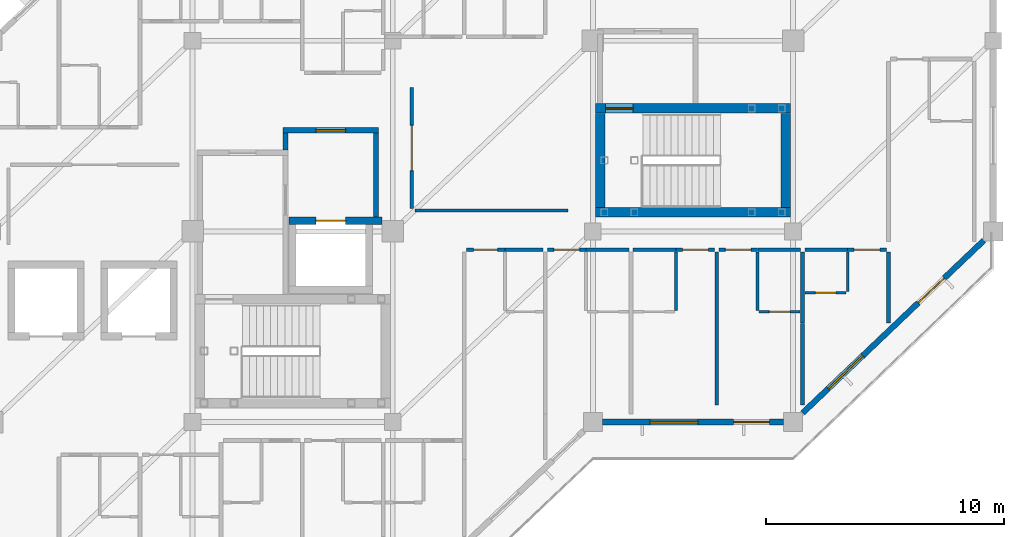
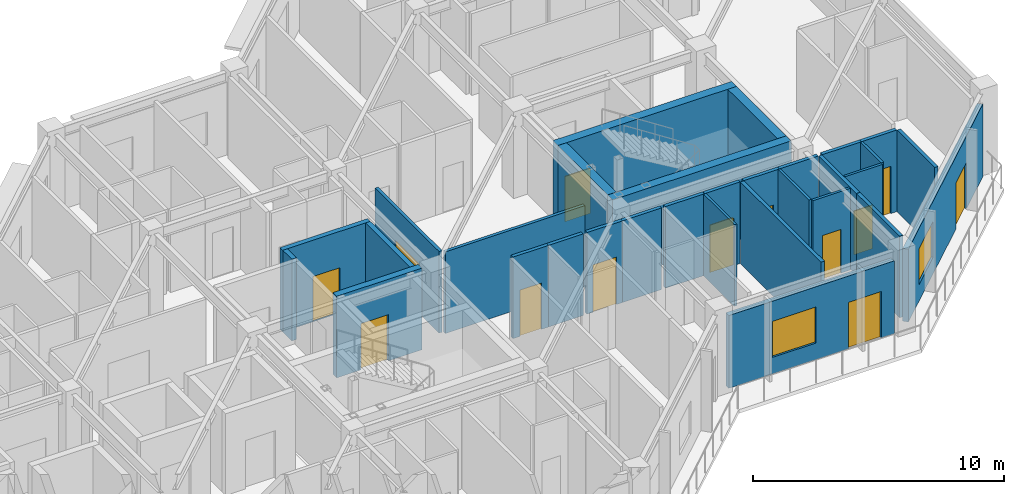
# One storey, part 13 of 22: 31 walls, 13 doors, 2 windows, 15 openings.
"""IFC4 building model written with IfcOpenShell, lengths in metres."""

from ifc_helpers import new_model, si_unit, direction, frame, frame_2d, origin, place, context, subcontext, project, spatial, rectangle, extrude, material, layer, layer_set, type_object, element, fill, save


model = new_model("IFC4")

# Units and contexts
model_context = context("Model", 3, precision=1e-05, world=origin(), true_north=direction((0.0, 1.0)))
body_context = subcontext(model_context, "Body", "Model", "MODEL_VIEW")
ifc_project = project(units=[si_unit("LENGTHUNIT", "METRE"), si_unit("AREAUNIT", "SQUARE_METRE"), si_unit("VOLUMEUNIT", "CUBIC_METRE"), si_unit("PLANEANGLEUNIT", "RADIAN"), si_unit("MASSUNIT", "GRAM", prefix="KILO")], contexts=[model_context])

# Site, building, storey
site_placement = place(None, origin())
site = spatial("IfcSite", under=ifc_project, at=site_placement, CompositionType="ELEMENT")
building_placement = place(site_placement, origin())
building = spatial("IfcBuilding", under=site, at=building_placement, Name="Naruveol Harbour Congress Hotel", CompositionType="ELEMENT")
storey_placement = place(building_placement, frame((0.0, 0.0, 21.0)))
storey = spatial("IfcBuildingStorey", under=building, at=storey_placement, Name="L04", CompositionType="ELEMENT", Elevation=21.0)

# Wall, opening, door
ifc_material_1 = material(Name="Acoustic Double Stud Gypsum", Category="gypsum")
ifc_layer_1 = layer(ifc_material_1, 0.139892578125)
ifc_layer_set_1 = layer_set([ifc_layer_1], Name="Acoustic Double Stud Gypsum")
wall_type_1 = type_object("IfcWallType", Name="ACOUSTIC MEETING PARTITION WALL 140", PredefinedType="PARTITIONING", material=ifc_layer_set_1)
wall_1_placement = place(storey_placement, frame((160.39990234375, 24.9599609375, 0.0), z_axis=(0.0, 0.0, 1.0), x_axis=(0.0, 1.0, 0.0)))
wall_1 = element("IfcWall", 1, at=wall_1_placement, inside=storey, type_object=wall_type_1, Name="Executive Club Salon west entry wall PW-140", PredefinedType="PARTITIONING", context=body_context, shape_type="SweptSolid", body=[
    extrude(rectangle(XDim=5.080078125, YDim=0.139892578125, at=frame_2d((2.5400390625, 0.0))), origin(), (0.0, 0.0, 1.0), 3.965087890625),
])
opening_1_placement = place(wall_1_placement, frame((1.590087890625, 0.0, 0.0)))
opening_1 = element("IfcOpeningElement", 2, at=opening_1_placement, cuts=wall_1, Name="Opening ID-LG-97", PredefinedType="OPENING", context=body_context, shape_type="SweptSolid", body=[
    extrude(rectangle(XDim=1.89990234375, YDim=2.39990234375, at=frame_2d((0.949951171875, 1.199951171875))), frame((0.0, 0.079833984375, 0.0), z_axis=(0.0, -1.0, 0.0), x_axis=(1.0, 0.0, 0.0)), (0.0, 0.0, 1.0), 0.159912109375),
])
ifc_material_2 = material(Name="Timber & Steel Acoustic Leaf", Category="steel")
door_type_1 = type_object("IfcDoorType", Name="RESTAURANT AND LOUNGE GLAZED DOOR 1900X2400", OperationType="DOUBLE_DOOR_SINGLE_SWING", PredefinedType="DOOR", material=ifc_material_2)
door_1_placement = place(opening_1_placement, origin())
door_1 = element("IfcDoor", 3, at=door_1_placement, inside=storey, type_object=door_type_1, Name="Executive Club Salon Entrance Door", OperationType="DOUBLE_DOOR_SINGLE_SWING", OverallHeight=2.39990234375, OverallWidth=1.89990234375, PredefinedType="DOOR", context=body_context, shape_type="SweptSolid", body=[
    extrude(rectangle(XDim=1.89990234375, YDim=2.39990234375, at=frame_2d((0.949951171875, 1.199951171875))), frame((0.0, 0.02490234375, 0.0), z_axis=(0.0, -1.0, 0.0), x_axis=(1.0, 0.0, 0.0)), (0.0, 0.0, 1.0), 0.050048828125),
])
fill(opening_1, door_1)

# Walls
wall_2_placement = place(storey_placement, frame((160.5400390625, 24.8798828125, 0.0), z_axis=(0.0, 0.0, 1.0), x_axis=(1.0, 0.0, 0.0)))
element("IfcWall", 4, at=wall_2_placement, inside=storey, type_object=wall_type_1, Name="Executive Club Salon south partition PW-140", PredefinedType="PARTITIONING", context=body_context, shape_type="SweptSolid", body=[
    extrude(rectangle(XDim=6.409912109375, YDim=0.139892578125, at=frame_2d((3.205078125, 0.0))), origin(), (0.0, 0.0, 1.0), 3.965087890625),
])
ifc_material_3 = material(Name="Moisture-Resistant Gypsum Partition", Category="gypsum")
ifc_layer_2 = layer(ifc_material_3, 0.114990234375)
ifc_layer_set_2 = layer_set([ifc_layer_2], Name="Moisture-Resistant Gypsum Partition")
wall_type_2 = type_object("IfcWallType", Name="BATHROOM MOISTURE PARTITION WALL 115", PredefinedType="PARTITIONING", material=ifc_layer_set_2)
for number, where, z_axis, x_axis, name in (
    (5, (171.489990234375, 20.68994140625, 0.0), (0.0, 0.0, 1.0), (0.0, 1.0, 0.0), "Bathroom east wall 0592 PW-115"),
    (6, (174.909912109375, 20.68994140625, 0.0), (0.0, 0.0, 1.0), (0.0, 1.0, 0.0), "Bathroom west wall 0593 PW-115"),
):
    element("IfcWall", number, at=place(storey_placement, frame(where, z_axis=z_axis, x_axis=x_axis)), inside=storey, type_object=wall_type_2, Name=name, PredefinedType="PARTITIONING", context=body_context, shape_type="SweptSolid", body=[
        extrude(rectangle(XDim=2.449951171875, YDim=0.114990234375, at=frame_2d((1.22509765625, 0.0))), origin(), (0.0, 0.0, 1.0), 3.965087890625),
    ])

# Wall, opening, door
wall_3_placement = place(storey_placement, frame((174.969970703125, 20.6298828125, 0.0), z_axis=(0.0, 0.0, 1.0), x_axis=(1.0, 0.0, 0.0)))
wall_3 = element("IfcWall", 7, at=wall_3_placement, inside=storey, type_object=wall_type_2, Name="Bathroom south wall 0593 PW-115", PredefinedType="PARTITIONING", context=body_context, shape_type="SweptSolid", body=[
    extrude(rectangle(XDim=1.72998046875, YDim=0.114990234375, at=frame_2d((0.864990234375, 0.0))), origin(), (0.0, 0.0, 1.0), 3.965087890625),
])
opening_2_placement = place(wall_3_placement, frame((0.43505859375, 0.0, 0.0)))
opening_2 = element("IfcOpeningElement", 8, at=opening_2_placement, cuts=wall_3, Name="Opening BD-RM0593", PredefinedType="OPENING", context=body_context, shape_type="SweptSolid", body=[
    extrude(rectangle(XDim=0.860107421875, YDim=2.1201171875, at=frame_2d((0.43017578125, 1.06005859375))), frame((0.0, 0.0673828125, 0.0), z_axis=(0.0, -1.0, 0.0), x_axis=(1.0, 0.0, 0.0)), (0.0, 0.0, 1.0), 0.135009765625),
])
ifc_material_4 = material(Name="Timber & Steel Acoustic Leaf", Category="steel")
door_type_2 = type_object("IfcDoorType", Name="GUEST BATHROOM DOOR 860X2120", OperationType="NOTDEFINED", PredefinedType="DOOR", material=ifc_material_4)
door_2_placement = place(opening_2_placement, origin())
door_2 = element("IfcDoor", 9, at=door_2_placement, inside=storey, type_object=door_type_2, Name="Bathroom Door 0593", OperationType="SINGLE_SWING_RIGHT", OverallHeight=2.1201171875, OverallWidth=0.860107421875, PredefinedType="DOOR", context=body_context, shape_type="SweptSolid", body=[
    extrude(rectangle(XDim=0.860107421875, YDim=2.1201171875, at=frame_2d((0.43017578125, 1.06005859375))), frame((0.0, 0.02490234375, 0.0), z_axis=(0.0, -1.0, 0.0), x_axis=(1.0, 0.0, 0.0)), (0.0, 0.0, 1.0), 0.050048828125),
])
fill(opening_2, door_2)

# Wall
wall_4_placement = place(storey_placement, frame((178.68994140625, 21.489990234375, 0.0), z_axis=(0.0, 0.0, 1.0), x_axis=(0.0, 1.0, 0.0)))
element("IfcWall", 10, at=wall_4_placement, inside=storey, type_object=wall_type_2, Name="Bathroom east wall 0594 PW-115", PredefinedType="PARTITIONING", context=body_context, shape_type="SweptSolid", body=[
    extrude(rectangle(XDim=1.64990234375, YDim=0.114990234375, at=frame_2d((0.824951171875, 0.0))), origin(), (0.0, 0.0, 1.0), 3.965087890625),
])

# Wall, opening, door
wall_5_placement = place(storey_placement, frame((176.89990234375, 21.429931640625, 0.0), z_axis=(0.0, 0.0, 1.0), x_axis=(1.0, 0.0, 0.0)))
wall_5 = element("IfcWall", 11, at=wall_5_placement, inside=storey, type_object=wall_type_2, Name="Bathroom south wall 0594 PW-115", PredefinedType="PARTITIONING", context=body_context, shape_type="SweptSolid", body=[
    extrude(rectangle(XDim=1.72998046875, YDim=0.114990234375, at=frame_2d((0.864990234375, 0.0))), origin(), (0.0, 0.0, 1.0), 3.965087890625),
])
opening_3_placement = place(wall_5_placement, frame((0.43505859375, 0.0, 0.0)))
opening_3 = element("IfcOpeningElement", 12, at=opening_3_placement, cuts=wall_5, Name="Opening BD-RM0594", PredefinedType="OPENING", context=body_context, shape_type="SweptSolid", body=[
    extrude(rectangle(XDim=0.860107421875, YDim=2.1201171875, at=frame_2d((0.43017578125, 1.06005859375))), frame((0.0, 0.0673828125, 0.0), z_axis=(0.0, -1.0, 0.0), x_axis=(1.0, 0.0, 0.0)), (0.0, 0.0, 1.0), 0.135009765625),
])
door_3_placement = place(opening_3_placement, origin())
door_3 = element("IfcDoor", 13, at=door_3_placement, inside=storey, type_object=door_type_2, Name="Bathroom Door 0594", OperationType="SINGLE_SWING_RIGHT", OverallHeight=2.1201171875, OverallWidth=0.860107421875, PredefinedType="DOOR", context=body_context, shape_type="SweptSolid", body=[
    extrude(rectangle(XDim=0.860107421875, YDim=2.1201171875, at=frame_2d((0.43017578125, 1.06005859375))), frame((0.0, 0.02490234375, 0.0), z_axis=(0.0, -1.0, 0.0), x_axis=(1.0, 0.0, 0.0)), (0.0, 0.0, 1.0), 0.050048828125),
])
fill(opening_3, door_3)

# Walls
ifc_material_5 = material(Name="Concrete C40/50", Category="concrete")
ifc_layer_3 = layer(ifc_material_5, 0.219970703125)
ifc_layer_set_3 = layer_set([ifc_layer_3], Name="Concrete C40/50")
wall_type_3 = type_object("IfcWallType", Name="FIRE COMPARTMENT AND LOBBY WALL 220 EI120", PredefinedType="PARTITIONING", material=ifc_layer_set_3)
wall_6_placement = place(storey_placement, frame((155.10009765625, 27.4150390625, 0.0), z_axis=(0.0, 0.0, 1.0), x_axis=(0.0, 1.0, 0.0)))
element("IfcWall", 14, at=wall_6_placement, inside=storey, type_object=wall_type_3, Name="Firefighting lift lobby ST2 upper west wall FW-220", PredefinedType="PARTITIONING", context=body_context, shape_type="SweptSolid", body=[
    extrude(rectangle(XDim=0.719970703125, YDim=0.219970703125, at=frame_2d((0.35986328125, 0.0))), origin(), (0.0, 0.0, 1.0), 3.965087890625),
])
wall_7_placement = place(storey_placement, frame((158.89990234375, 24.60498046875, 0.0), z_axis=(0.0, 0.0, 1.0), x_axis=(0.0, 1.0, 0.0)))
element("IfcWall", 15, at=wall_7_placement, inside=storey, type_object=wall_type_3, Name="Firefighting lift lobby ST2 east wall FW-220", PredefinedType="PARTITIONING", context=body_context, shape_type="SweptSolid", body=[
    extrude(rectangle(XDim=3.530029296875, YDim=0.219970703125, at=frame_2d((1.76513671875, 0.0))), origin(), (0.0, 0.0, 1.0), 3.965087890625),
])

# Wall, opening, door
wall_8_placement = place(storey_placement, frame((154.989990234375, 28.25, 0.0), z_axis=(0.0, 0.0, 1.0), x_axis=(1.0, 0.0, 0.0)))
wall_8 = element("IfcWall", 16, at=wall_8_placement, inside=storey, type_object=wall_type_3, Name="Firefighting lift lobby ST2 north wall FW-220", PredefinedType="PARTITIONING", context=body_context, shape_type="SweptSolid", body=[
    extrude(rectangle(XDim=4.02001953125, YDim=0.219970703125, at=frame_2d((2.010009765625, 0.0))), origin(), (0.0, 0.0, 1.0), 3.965087890625),
])
opening_4_placement = place(wall_8_placement, frame((1.389892578125, 0.0, 0.0)))
opening_4 = element("IfcOpeningElement", 17, at=opening_4_placement, cuts=wall_8, Name="Opening FD-FFC-ST2-L04", PredefinedType="OPENING", context=body_context, shape_type="SweptSolid", body=[
    extrude(rectangle(XDim=1.239990234375, YDim=2.199951171875, at=frame_2d((0.6201171875, 1.10009765625))), frame((0.0, 0.119873046875, 0.0), z_axis=(0.0, -1.0, 0.0), x_axis=(1.0, 0.0, 0.0)), (0.0, 0.0, 1.0), 0.239990234375),
])
ifc_material_6 = material(Name="Timber & Steel Acoustic Leaf", Category="steel")
door_type_3 = type_object("IfcDoorType", Name="FIREFIGHTING LOBBY FIRE DOOR 1240X2200", OperationType="NOTDEFINED", PredefinedType="DOOR", material=ifc_material_6)
door_4_placement = place(opening_4_placement, origin())
door_4 = element("IfcDoor", 18, at=door_4_placement, inside=storey, type_object=door_type_3, Name="Firefighting Lobby Corridor Door ST2 L04", OperationType="SINGLE_SWING_LEFT", OverallHeight=2.199951171875, OverallWidth=1.239990234375, PredefinedType="DOOR", context=body_context, shape_type="SweptSolid", body=[
    extrude(rectangle(XDim=1.239990234375, YDim=2.199951171875, at=frame_2d((0.6201171875, 1.10009765625))), frame((0.0, 0.02490234375, 0.0), z_axis=(0.0, -1.0, 0.0), x_axis=(1.0, 0.0, 0.0)), (0.0, 0.0, 1.0), 0.050048828125),
])
fill(opening_4, door_4)

ifc_material_7 = material(Name="Autoclaved Aerated Concrete Block", Category="concrete")
ifc_layer_4 = layer(ifc_material_7, 0.159912109375)
ifc_layer_set_4 = layer_set([ifc_layer_4], Name="Autoclaved Aerated Concrete Block")
wall_type_4 = type_object("IfcWallType", Name="HOTEL PARTY AND CORRIDOR WALL 160 EI60", PredefinedType="PARTITIONING", material=ifc_layer_set_4)
wall_9_placement = place(storey_placement, frame((162.68994140625, 23.22998046875, 0.0), z_axis=(0.0, 0.0, 1.0), x_axis=(1.0, 0.0, 0.0)))
wall_9 = element("IfcWall", 19, at=wall_9_placement, inside=storey, type_object=wall_type_4, Name="Corridor entry wall 0590 PW-160", PredefinedType="PARTITIONING", context=body_context, shape_type="SweptSolid", body=[
    extrude(rectangle(XDim=1.6201171875, YDim=0.159912109375, at=frame_2d((0.81005859375, 0.0))), origin(), (0.0, 0.0, 1.0), 3.965087890625),
])
opening_5_placement = place(wall_9_placement, frame((0.31005859375, 0.0, 0.0)))
opening_5 = element("IfcOpeningElement", 20, at=opening_5_placement, cuts=wall_9, Name="Opening FD-RM0590", PredefinedType="OPENING", context=body_context, shape_type="SweptSolid", body=[
    extrude(rectangle(XDim=1.0, YDim=2.25, at=frame_2d((0.5, 1.125))), frame((0.0, 0.08984375, 0.0), z_axis=(0.0, -1.0, 0.0), x_axis=(1.0, 0.0, 0.0)), (0.0, 0.0, 1.0), 0.179931640625),
])
ifc_material_8 = material(Name="Timber & Steel Acoustic Leaf", Category="steel")
door_type_4 = type_object("IfcDoorType", Name="DELUXE GUEST ENTRANCE FIRE DOOR 1000X2250", OperationType="NOTDEFINED", PredefinedType="DOOR", material=ifc_material_8)
door_5_placement = place(opening_5_placement, origin())
door_5 = element("IfcDoor", 21, at=door_5_placement, inside=storey, type_object=door_type_4, Name="Hotel Room Door 0590", OperationType="SINGLE_SWING_LEFT", OverallHeight=2.25, OverallWidth=1.0, PredefinedType="DOOR", context=body_context, shape_type="SweptSolid", body=[
    extrude(rectangle(XDim=1.0, YDim=2.25, at=frame_2d((0.5, 1.125))), frame((0.0, 0.02490234375, 0.0), z_axis=(0.0, -1.0, 0.0), x_axis=(1.0, 0.0, 0.0)), (0.0, 0.0, 1.0), 0.050048828125),
])
fill(opening_5, door_5)

# Wall
wall_10_placement = place(storey_placement, frame((164.320068359375, 23.22998046875, 0.0), z_axis=(0.0, 0.0, 1.0), x_axis=(1.0, 0.0, 0.0)))
element("IfcWall", 22, at=wall_10_placement, inside=storey, type_object=wall_type_4, Name="Corridor wall 0590B PW-160", PredefinedType="PARTITIONING", context=body_context, shape_type="SweptSolid", body=[
    extrude(rectangle(XDim=1.58984375, YDim=0.159912109375, at=frame_2d((0.794921875, 0.0))), origin(), (0.0, 0.0, 1.0), 3.965087890625),
])

# Wall, opening, door
wall_11_placement = place(storey_placement, frame((166.090087890625, 23.22998046875, 0.0), z_axis=(0.0, 0.0, 1.0), x_axis=(1.0, 0.0, 0.0)))
wall_11 = element("IfcWall", 23, at=wall_11_placement, inside=storey, type_object=wall_type_4, Name="Corridor entry wall 0591 PW-160", PredefinedType="PARTITIONING", context=body_context, shape_type="SweptSolid", body=[
    extrude(rectangle(XDim=1.619873046875, YDim=0.159912109375, at=frame_2d((0.81005859375, 0.0))), origin(), (0.0, 0.0, 1.0), 3.965087890625),
])
opening_6_placement = place(wall_11_placement, frame((0.27001953125, 0.0, 0.0)))
opening_6 = element("IfcOpeningElement", 24, at=opening_6_placement, cuts=wall_11, Name="Opening FD-RM0591", PredefinedType="OPENING", context=body_context, shape_type="SweptSolid", body=[
    extrude(rectangle(XDim=1.080078125, YDim=2.300048828125, at=frame_2d((0.5400390625, 1.14990234375))), frame((0.0, 0.08984375, 0.0), z_axis=(0.0, -1.0, 0.0), x_axis=(1.0, 0.0, 0.0)), (0.0, 0.0, 1.0), 0.179931640625),
])
ifc_material_9 = material(Name="Timber & Steel Acoustic Leaf", Category="steel")
door_type_5 = type_object("IfcDoorType", Name="SUITE ENTRANCE FIRE DOOR 1080X2300", OperationType="NOTDEFINED", PredefinedType="DOOR", material=ifc_material_9)
door_6_placement = place(opening_6_placement, origin())
door_6 = element("IfcDoor", 25, at=door_6_placement, inside=storey, type_object=door_type_5, Name="Hotel Room Door 0591", OperationType="SINGLE_SWING_LEFT", OverallHeight=2.300048828125, OverallWidth=1.080078125, PredefinedType="DOOR", context=body_context, shape_type="SweptSolid", body=[
    extrude(rectangle(XDim=1.080078125, YDim=2.300048828125, at=frame_2d((0.5400390625, 1.14990234375))), frame((0.0, 0.02490234375, 0.0), z_axis=(0.0, -1.0, 0.0), x_axis=(1.0, 0.0, 0.0)), (0.0, 0.0, 1.0), 0.050048828125),
])
fill(opening_6, door_6)

# Walls
for number, where, z_axis, x_axis, name in (
    (26, (167.719970703125, 23.22998046875, 0.0), (0.0, 0.0, 1.0), (1.0, 0.0, 0.0), "Corridor wall 0591B PW-160"),
    (27, (169.68994140625, 23.22998046875, 0.0), (0.0, 0.0, 1.0), (1.0, 0.0, 0.0), "Corridor wall 0592B PW-160"),
):
    element("IfcWall", number, at=place(storey_placement, frame(where, z_axis=z_axis, x_axis=x_axis)), inside=storey, type_object=wall_type_4, Name=name, PredefinedType="PARTITIONING", context=body_context, shape_type="SweptSolid", body=[
        extrude(rectangle(XDim=1.7900390625, YDim=0.159912109375, at=frame_2d((0.89501953125, 0.0))), origin(), (0.0, 0.0, 1.0), 3.965087890625),
    ])

# Wall, opening, door
wall_12_placement = place(storey_placement, frame((171.489990234375, 23.22998046875, 0.0), z_axis=(0.0, 0.0, 1.0), x_axis=(1.0, 0.0, 0.0)))
wall_12 = element("IfcWall", 28, at=wall_12_placement, inside=storey, type_object=wall_type_4, Name="Corridor entry wall 0592 PW-160", PredefinedType="PARTITIONING", context=body_context, shape_type="SweptSolid", body=[
    extrude(rectangle(XDim=1.6201171875, YDim=0.159912109375, at=frame_2d((0.81005859375, 0.0))), origin(), (0.0, 0.0, 1.0), 3.965087890625),
])
opening_7_placement = place(wall_12_placement, frame((0.27001953125, 0.0, 0.0)))
opening_7 = element("IfcOpeningElement", 29, at=opening_7_placement, cuts=wall_12, Name="Opening FD-RM0592", PredefinedType="OPENING", context=body_context, shape_type="SweptSolid", body=[
    extrude(rectangle(XDim=1.080078125, YDim=2.300048828125, at=frame_2d((0.5400390625, 1.14990234375))), frame((0.0, 0.08984375, 0.0), z_axis=(0.0, -1.0, 0.0), x_axis=(1.0, 0.0, 0.0)), (0.0, 0.0, 1.0), 0.179931640625),
])
door_7_placement = place(opening_7_placement, origin())
door_7 = element("IfcDoor", 30, at=door_7_placement, inside=storey, type_object=door_type_5, Name="Hotel Room Door 0592", OperationType="SINGLE_SWING_LEFT", OverallHeight=2.300048828125, OverallWidth=1.080078125, PredefinedType="DOOR", context=body_context, shape_type="SweptSolid", body=[
    extrude(rectangle(XDim=1.080078125, YDim=2.300048828125, at=frame_2d((0.5400390625, 1.14990234375))), frame((0.0, 0.02490234375, 0.0), z_axis=(0.0, -1.0, 0.0), x_axis=(1.0, 0.0, 0.0)), (0.0, 0.0, 1.0), 0.050048828125),
])
fill(opening_7, door_7)

wall_13_placement = place(storey_placement, frame((173.2900390625, 23.22998046875, 0.0), z_axis=(0.0, 0.0, 1.0), x_axis=(1.0, 0.0, 0.0)))
wall_13 = element("IfcWall", 31, at=wall_13_placement, inside=storey, type_object=wall_type_4, Name="Corridor entry wall 0593 PW-160", PredefinedType="PARTITIONING", context=body_context, shape_type="SweptSolid", body=[
    extrude(rectangle(XDim=1.619873046875, YDim=0.159912109375, at=frame_2d((0.81005859375, 0.0))), origin(), (0.0, 0.0, 1.0), 3.965087890625),
])
opening_8_placement = place(wall_13_placement, frame((0.27001953125, 0.0, 0.0)))
opening_8 = element("IfcOpeningElement", 32, at=opening_8_placement, cuts=wall_13, Name="Opening FD-RM0593", PredefinedType="OPENING", context=body_context, shape_type="SweptSolid", body=[
    extrude(rectangle(XDim=1.080078125, YDim=2.300048828125, at=frame_2d((0.5400390625, 1.14990234375))), frame((0.0, 0.08984375, 0.0), z_axis=(0.0, -1.0, 0.0), x_axis=(1.0, 0.0, 0.0)), (0.0, 0.0, 1.0), 0.179931640625),
])
door_8_placement = place(opening_8_placement, origin())
door_8 = element("IfcDoor", 33, at=door_8_placement, inside=storey, type_object=door_type_5, Name="Hotel Room Door 0593", OperationType="SINGLE_SWING_LEFT", OverallHeight=2.300048828125, OverallWidth=1.080078125, PredefinedType="DOOR", context=body_context, shape_type="SweptSolid", body=[
    extrude(rectangle(XDim=1.080078125, YDim=2.300048828125, at=frame_2d((0.5400390625, 1.14990234375))), frame((0.0, 0.02490234375, 0.0), z_axis=(0.0, -1.0, 0.0), x_axis=(1.0, 0.0, 0.0)), (0.0, 0.0, 1.0), 0.050048828125),
])
fill(opening_8, door_8)

# Walls
wall_14_placement = place(storey_placement, frame((174.919921875, 23.22998046875, 0.0), z_axis=(0.0, 0.0, 1.0), x_axis=(1.0, 0.0, 0.0)))
element("IfcWall", 34, at=wall_14_placement, inside=storey, type_object=wall_type_4, Name="Corridor wall 0593B PW-160", PredefinedType="PARTITIONING", context=body_context, shape_type="SweptSolid", body=[
    extrude(rectangle(XDim=1.7900390625, YDim=0.159912109375, at=frame_2d((0.89501953125, 0.0))), origin(), (0.0, 0.0, 1.0), 3.965087890625),
])
wall_15_placement = place(storey_placement, frame((173.199951171875, 16.719970703125, 0.0), z_axis=(0.0, 0.0, 1.0), x_axis=(0.0, 1.0, 0.0)))
element("IfcWall", 35, at=wall_15_placement, inside=storey, type_object=wall_type_4, Name="Hotel party wall 0593 PW-160", PredefinedType="PARTITIONING", context=body_context, shape_type="SweptSolid", body=[
    extrude(rectangle(XDim=6.419921875, YDim=0.159912109375, at=frame_2d((3.2099609375, 0.0))), origin(), (0.0, 0.0, 1.0), 3.965087890625),
])
wall_16_placement = place(storey_placement, frame((176.800048828125, 16.719970703125, 0.0), z_axis=(0.0, 0.0, 1.0), x_axis=(0.0, 1.0, 0.0)))
element("IfcWall", 36, at=wall_16_placement, inside=storey, type_object=wall_type_4, Name="Hotel end party wall 0593 PW-160", PredefinedType="PARTITIONING", context=body_context, shape_type="SweptSolid", body=[
    extrude(rectangle(XDim=3.419921875, YDim=0.159912109375, at=frame_2d((1.7099609375, 0.0))), origin(), (0.0, 0.0, 1.0), 3.965087890625),
])
wall_17_placement = place(storey_placement, frame((176.889892578125, 23.22998046875, 0.0), z_axis=(0.0, 0.0, 1.0), x_axis=(1.0, 0.0, 0.0)))
element("IfcWall", 37, at=wall_17_placement, inside=storey, type_object=wall_type_4, Name="Corridor wall 0594B PW-160", PredefinedType="PARTITIONING", context=body_context, shape_type="SweptSolid", body=[
    extrude(rectangle(XDim=1.7900390625, YDim=0.159912109375, at=frame_2d((0.89501953125, 0.0))), origin(), (0.0, 0.0, 1.0), 3.965087890625),
])

# Wall, opening, door
wall_18_placement = place(storey_placement, frame((178.68994140625, 23.22998046875, 0.0), z_axis=(0.0, 0.0, 1.0), x_axis=(1.0, 0.0, 0.0)))
wall_18 = element("IfcWall", 38, at=wall_18_placement, inside=storey, type_object=wall_type_4, Name="Corridor entry wall 0594 PW-160", PredefinedType="PARTITIONING", context=body_context, shape_type="SweptSolid", body=[
    extrude(rectangle(XDim=1.6201171875, YDim=0.159912109375, at=frame_2d((0.81005859375, 0.0))), origin(), (0.0, 0.0, 1.0), 3.965087890625),
])
opening_9_placement = place(wall_18_placement, frame((0.27001953125, 0.0, 0.0)))
opening_9 = element("IfcOpeningElement", 39, at=opening_9_placement, cuts=wall_18, Name="Opening FD-RM0594", PredefinedType="OPENING", context=body_context, shape_type="SweptSolid", body=[
    extrude(rectangle(XDim=1.080078125, YDim=2.300048828125, at=frame_2d((0.5400390625, 1.14990234375))), frame((0.0, 0.08984375, 0.0), z_axis=(0.0, -1.0, 0.0), x_axis=(1.0, 0.0, 0.0)), (0.0, 0.0, 1.0), 0.179931640625),
])
door_9_placement = place(opening_9_placement, origin())
door_9 = element("IfcDoor", 40, at=door_9_placement, inside=storey, type_object=door_type_5, Name="Hotel Room Door 0594", OperationType="SINGLE_SWING_LEFT", OverallHeight=2.300048828125, OverallWidth=1.080078125, PredefinedType="DOOR", context=body_context, shape_type="SweptSolid", body=[
    extrude(rectangle(XDim=1.080078125, YDim=2.300048828125, at=frame_2d((0.5400390625, 1.14990234375))), frame((0.0, 0.02490234375, 0.0), z_axis=(0.0, -1.0, 0.0), x_axis=(1.0, 0.0, 0.0)), (0.0, 0.0, 1.0), 0.050048828125),
])
fill(opening_9, door_9)

# Walls
for number, where, z_axis, x_axis, name in (
    (41, (176.800048828125, 20.14990234375, 0.0), (0.0, 0.0, 1.0), (0.0, 1.0, 0.0), "Hotel party wall 0594 PW-160"),
    (42, (180.39990234375, 20.14990234375, 0.0), (0.0, 0.0, 1.0), (0.0, 1.0, 0.0), "Hotel end party wall 0594 PW-160"),
):
    element("IfcWall", number, at=place(storey_placement, frame(where, z_axis=z_axis, x_axis=x_axis)), inside=storey, type_object=wall_type_4, Name=name, PredefinedType="PARTITIONING", context=body_context, shape_type="SweptSolid", body=[
        extrude(rectangle(XDim=2.989990234375, YDim=0.159912109375, at=frame_2d((1.4951171875, 0.0))), origin(), (0.0, 0.0, 1.0), 3.965087890625),
    ])

# Wall, openings, window, door
ifc_material_10 = material(Name="Concrete C40/50", Category="concrete")
ifc_layer_5 = layer(ifc_material_10, 0.239990234375)
ifc_layer_set_5 = layer_set([ifc_layer_5], Name="Concrete C40/50")
wall_type_5 = type_object("IfcWallType", Name="INSULATED HOTEL SPANDREL WALL 240", PredefinedType="SOLIDWALL", material=ifc_layer_set_5)
wall_19_placement = place(storey_placement, frame((176.0, 16.0, 0.0), z_axis=(0.0, 0.0, 1.0), x_axis=(-1.0, 0.0, 0.0)))
wall_19 = element("IfcWall", 43, at=wall_19_placement, inside=storey, type_object=wall_type_5, Name="Hotel south waterfront wall L04 EW-240", PredefinedType="SOLIDWALL", context=body_context, shape_type="SweptSolid", body=[
    extrude(rectangle(XDim=7.60009765625, YDim=0.239990234375, at=frame_2d((3.800048828125, 0.0))), origin(), (0.0, 0.0, 1.0), 3.530029296875),
])
opening_10_placement = place(wall_19_placement, frame((0.60009765625, 0.0, 0.0)))
opening_10 = element("IfcOpeningElement", 44, at=opening_10_placement, cuts=wall_19, Name="Opening BD-150-036", PredefinedType="OPENING", context=body_context, shape_type="SweptSolid", body=[
    extrude(rectangle(XDim=1.5, YDim=2.25, at=frame_2d((0.75, 1.125))), frame((0.0, 0.1298828125, 0.0), z_axis=(0.0, -1.0, 0.0), x_axis=(1.0, 0.0, 0.0)), (0.0, 0.0, 1.0), 0.260009765625),
])
opening_11_placement = place(wall_19_placement, frame((3.60009765625, 0.0, 0.800048828125)))
opening_11 = element("IfcOpeningElement", 45, at=opening_11_placement, cuts=wall_19, Name="Opening W-05", PredefinedType="OPENING", context=body_context, shape_type="SweptSolid", body=[
    extrude(rectangle(XDim=2.0, YDim=1.75, at=frame_2d((1.0, 0.875))), frame((0.0, 0.1298828125, 0.0), z_axis=(0.0, -1.0, 0.0), x_axis=(1.0, 0.0, 0.0)), (0.0, 0.0, 1.0), 0.260009765625),
])
ifc_material_11 = material(Name="Low-E Triple Glazing in Thermal Aluminium", Category="aluminium")
window_type = type_object("IfcWindowType", Name="GARDEN SUITE WINDOW 2000X1750", PartitioningType="DOUBLE_PANEL_VERTICAL", PredefinedType="WINDOW", material=ifc_material_11)
window_1_placement = place(opening_11_placement, origin())
window_1 = element("IfcWindow", 46, at=window_1_placement, inside=storey, type_object=window_type, Name="Window W-05 #294", OverallHeight=1.75, OverallWidth=2.0, PartitioningType="DOUBLE_PANEL_VERTICAL", PredefinedType="WINDOW", context=body_context, shape_type="SweptSolid", body=[
    extrude(rectangle(XDim=2.0, YDim=1.75, at=frame_2d((1.0, 0.875))), frame((0.0, 0.030029296875, 0.0), z_axis=(0.0, -1.0, 0.0), x_axis=(1.0, 0.0, 0.0)), (0.0, 0.0, 1.0), 0.06005859375),
])
fill(opening_11, window_1)
ifc_material_12 = material(Name="Powder-Coated Steel & Insulated Glazing", Category="steel")
door_type_6 = type_object("IfcDoorType", Name="SUITE BALCONY SLIDING DOOR 1500X2250", OperationType="SLIDING_TO_LEFT", PredefinedType="DOOR", material=ifc_material_12)
door_10_placement = place(opening_10_placement, origin())
door_10 = element("IfcDoor", 47, at=door_10_placement, inside=storey, type_object=door_type_6, Name="Exterior door BD-150-036", OperationType="SLIDING_TO_LEFT", OverallHeight=2.25, OverallWidth=1.5, PredefinedType="DOOR", context=body_context, shape_type="SweptSolid", body=[
    extrude(rectangle(XDim=1.5, YDim=2.25, at=frame_2d((0.75, 1.125))), frame((0.0, 0.02490234375, 0.0), z_axis=(0.0, -1.0, 0.0), x_axis=(1.0, 0.0, 0.0)), (0.0, 0.0, 1.0), 0.050048828125),
])
fill(opening_10, door_10)

wall_20_placement = place(storey_placement, frame((184.39990234375, 23.618896484375, 0.0), z_axis=(0.0, 0.0, 1.0), x_axis=(-0.724145676014, -0.689647040094, 0.0)))
wall_20 = element("IfcWall", 48, at=wall_20_placement, inside=storey, type_object=wall_type_5, Name="Hotel south waterfront wall L04 EW-240", PredefinedType="SOLIDWALL", context=body_context, shape_type="SweptSolid", body=[
    extrude(rectangle(XDim=10.494873046875, YDim=0.239990234375, at=frame_2d((5.24755859375, 0.0))), origin(), (0.0, 0.0, 1.0), 3.530029296875),
])
opening_12_placement = place(wall_20_placement, frame((2.2880859375, 0.0, 0.0)))
opening_12 = element("IfcOpeningElement", 49, at=opening_12_placement, cuts=wall_20, Name="Opening BD-150-037", PredefinedType="OPENING", context=body_context, shape_type="SweptSolid", body=[
    extrude(rectangle(XDim=1.5, YDim=2.25, at=frame_2d((0.75, 1.125))), frame((0.0, 0.1298828125, 0.0), z_axis=(0.0, -1.0, 0.0), x_axis=(1.0, 0.0, 0.0)), (0.0, 0.0, 1.0), 0.260009765625),
])
opening_13_placement = place(wall_20_placement, frame((7.009033203125, 0.0, 0.800048828125)))
opening_13 = element("IfcOpeningElement", 50, at=opening_13_placement, cuts=wall_20, Name="Opening W-05", PredefinedType="OPENING", context=body_context, shape_type="SweptSolid", body=[
    extrude(rectangle(XDim=2.0, YDim=1.75, at=frame_2d((1.0, 0.875))), frame((0.0, 0.1298828125, 0.0), z_axis=(0.0, -1.0, 0.0), x_axis=(1.0, 0.0, 0.0)), (0.0, 0.0, 1.0), 0.260009765625),
])
window_2_placement = place(opening_13_placement, origin())
window_2 = element("IfcWindow", 51, at=window_2_placement, inside=storey, type_object=window_type, Name="Window W-05 #297", OverallHeight=1.75, OverallWidth=2.0, PartitioningType="DOUBLE_PANEL_VERTICAL", PredefinedType="WINDOW", context=body_context, shape_type="SweptSolid", body=[
    extrude(rectangle(XDim=2.0, YDim=1.75, at=frame_2d((1.0, 0.875))), frame((0.0, 0.030029296875, 0.0), z_axis=(0.0, -1.0, 0.0), x_axis=(1.0, 0.0, 0.0)), (0.0, 0.0, 1.0), 0.06005859375),
])
fill(opening_13, window_2)
door_11_placement = place(opening_12_placement, origin())
door_11 = element("IfcDoor", 52, at=door_11_placement, inside=storey, type_object=door_type_6, Name="Exterior door BD-150-037", OperationType="SLIDING_TO_LEFT", OverallHeight=2.25, OverallWidth=1.5, PredefinedType="DOOR", context=body_context, shape_type="SweptSolid", body=[
    extrude(rectangle(XDim=1.5, YDim=2.25, at=frame_2d((0.75, 1.125))), frame((0.0, 0.02490234375, 0.0), z_axis=(0.0, -1.0, 0.0), x_axis=(1.0, 0.0, 0.0)), (0.0, 0.0, 1.0), 0.050048828125),
])
fill(opening_12, door_11)

# Walls
ifc_material_13 = material(Name="Concrete C50/60", Category="concrete")
ifc_layer_6 = layer(ifc_material_13, 0.39990234375)
ifc_layer_set_6 = layer_set([ifc_layer_6], Name="Concrete C50/60")
wall_type_6 = type_object("IfcWallType", Name="RC CORE SHEAR WALL 400 EI120", PredefinedType="SHEAR", material=ifc_layer_set_6)
wall_21_placement = place(storey_placement, frame((168.10009765625, 24.800048828125, 0.0), z_axis=(0.0, 0.0, 1.0), x_axis=(1.0, 0.0, 0.0)))
element("IfcWall", 53, at=wall_21_placement, inside=storey, type_object=wall_type_6, Name="Stair ST4 south core wall CW-400", PredefinedType="SHEAR", context=body_context, shape_type="SweptSolid", body=[
    extrude(rectangle(XDim=8.199951171875, YDim=0.39990234375, at=frame_2d((4.10009765625, 0.0))), origin(), (0.0, 0.0, 1.0), 3.965087890625),
])
wall_22_placement = place(storey_placement, frame((176.10009765625, 25.0048828125, 0.0), z_axis=(0.0, 0.0, 1.0), x_axis=(0.0, 1.0, 0.0)))
element("IfcWall", 54, at=wall_22_placement, inside=storey, type_object=wall_type_6, Name="Stair ST4 east core wall CW-400", PredefinedType="SHEAR", context=body_context, shape_type="SweptSolid", body=[
    extrude(rectangle(XDim=3.9501953125, YDim=0.39990234375, at=frame_2d((1.97509765625, 0.0))), origin(), (0.0, 0.0, 1.0), 3.965087890625),
])

# Wall, opening, door
wall_23_placement = place(storey_placement, frame((168.10009765625, 29.159912109375, 0.0), z_axis=(0.0, 0.0, 1.0), x_axis=(1.0, 0.0, 0.0)))
wall_23 = element("IfcWall", 55, at=wall_23_placement, inside=storey, type_object=wall_type_6, Name="Stair ST4 north core wall CW-400", PredefinedType="SHEAR", context=body_context, shape_type="SweptSolid", body=[
    extrude(rectangle(XDim=8.199951171875, YDim=0.39990234375, at=frame_2d((4.10009765625, 0.0))), origin(), (0.0, 0.0, 1.0), 3.965087890625),
])
opening_14_placement = place(wall_23_placement, frame((0.429931640625, 0.0, 0.0)))
opening_14 = element("IfcOpeningElement", 56, at=opening_14_placement, cuts=wall_23, Name="Opening FD-ST4-S-L04", PredefinedType="OPENING", context=body_context, shape_type="SweptSolid", body=[
    extrude(rectangle(XDim=1.159912109375, YDim=2.199951171875, at=frame_2d((0.580078125, 1.10009765625))), frame((0.0, 0.2099609375, 0.0), z_axis=(0.0, -1.0, 0.0), x_axis=(1.0, 0.0, 0.0)), (0.0, 0.0, 1.0), 0.419921875),
])
ifc_material_14 = material(Name="Timber & Steel Acoustic Leaf", Category="steel")
door_type_7 = type_object("IfcDoorType", Name="SPECIAL ESCAPE STAIR FIRE DOOR 1160X2200", OperationType="NOTDEFINED", PredefinedType="DOOR", material=ifc_material_14)
door_12_placement = place(opening_14_placement, origin())
door_12 = element("IfcDoor", 57, at=door_12_placement, inside=storey, type_object=door_type_7, Name="Special Escape Stair Door ST4 L04", OperationType="SINGLE_SWING_RIGHT", OverallHeight=2.199951171875, OverallWidth=1.159912109375, PredefinedType="DOOR", context=body_context, shape_type="SweptSolid", body=[
    extrude(rectangle(XDim=1.159912109375, YDim=2.199951171875, at=frame_2d((0.580078125, 1.10009765625))), frame((0.0, 0.02490234375, 0.0), z_axis=(0.0, -1.0, 0.0), x_axis=(1.0, 0.0, 0.0)), (0.0, 0.0, 1.0), 0.050048828125),
])
fill(opening_14, door_12)

# Wall
wall_24_placement = place(storey_placement, frame((168.300048828125, 25.0048828125, 0.0), z_axis=(0.0, 0.0, 1.0), x_axis=(0.0, 1.0, 0.0)))
element("IfcWall", 58, at=wall_24_placement, inside=storey, type_object=wall_type_6, Name="Stair ST4 west core wall CW-400", PredefinedType="SHEAR", context=body_context, shape_type="SweptSolid", body=[
    extrude(rectangle(XDim=3.9501953125, YDim=0.39990234375, at=frame_2d((1.97509765625, 0.0))), origin(), (0.0, 0.0, 1.0), 3.965087890625),
])

# Wall, opening, door
ifc_material_15 = material(Name="Concrete C50/60", Category="concrete")
ifc_layer_7 = layer(ifc_material_15, 0.300048828125)
ifc_layer_set_7 = layer_set([ifc_layer_7], Name="Concrete C50/60")
wall_type_7 = type_object("IfcWallType", Name="RC STAIR AND HOISTWAY SHEAR WALL 300 EI120", PredefinedType="SHEAR", material=ifc_layer_set_7)
wall_25_placement = place(storey_placement, frame((159.159912109375, 24.449951171875, 0.0), z_axis=(0.0, 0.0, 1.0), x_axis=(-1.0, 0.0, 0.0)))
wall_25 = element("IfcWall", 59, at=wall_25_placement, inside=storey, type_object=wall_type_7, Name="Hoistway north shear wall FL2 SW-300", PredefinedType="SHEAR", context=body_context, shape_type="SweptSolid", body=[
    extrude(rectangle(XDim=3.909912109375, YDim=0.300048828125, at=frame_2d((1.955078125, 0.0))), origin(), (0.0, 0.0, 1.0), 3.965087890625),
])
opening_15_placement = place(wall_25_placement, frame((1.534912109375, 0.0, 0.0)))
opening_15 = element("IfcOpeningElement", 60, at=opening_15_placement, cuts=wall_25, Name="Opening LD-FL2-L04", PredefinedType="OPENING", context=body_context, shape_type="SweptSolid", body=[
    extrude(rectangle(XDim=1.25, YDim=2.25, at=frame_2d((0.625, 1.125))), frame((0.0, 0.159912109375, 0.0), z_axis=(0.0, -1.0, 0.0), x_axis=(1.0, 0.0, 0.0)), (0.0, 0.0, 1.0), 0.320068359375),
])
ifc_material_16 = material(Name="Stainless Steel Lift Door", Category="steel")
door_type_8 = type_object("IfcDoorType", Name="FIREFIGHTING LIFT LANDING DOOR 1250X2250", OperationType="DOUBLE_DOOR_SLIDING", PredefinedType="DOOR", material=ifc_material_16)
door_13_placement = place(opening_15_placement, origin())
door_13 = element("IfcDoor", 61, at=door_13_placement, inside=storey, type_object=door_type_8, Name="Elevator Landing Door FL2 L04", OperationType="DOUBLE_DOOR_SLIDING", OverallHeight=2.25, OverallWidth=1.25, PredefinedType="DOOR", context=body_context, shape_type="SweptSolid", body=[
    extrude(rectangle(XDim=1.25, YDim=2.25, at=frame_2d((0.625, 1.125))), frame((0.0, 0.02490234375, 0.0), z_axis=(0.0, -1.0, 0.0), x_axis=(1.0, 0.0, 0.0)), (0.0, 0.0, 1.0), 0.050048828125),
])
fill(opening_15, door_13)

save(model, "model.ifc")
